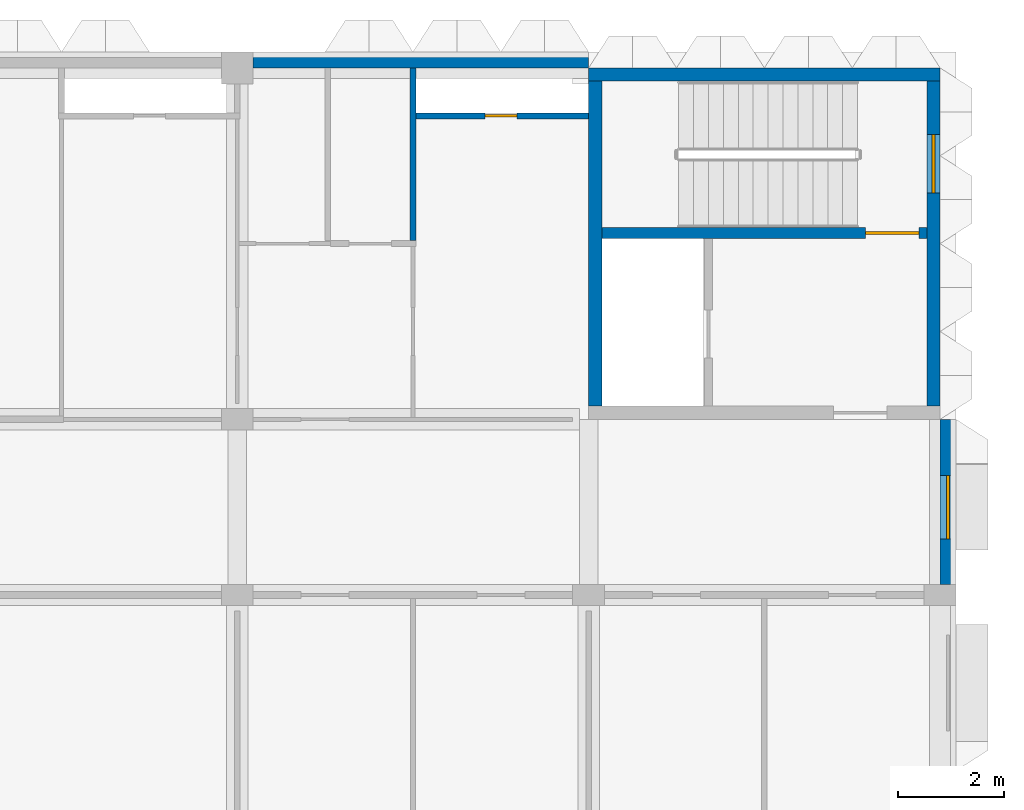
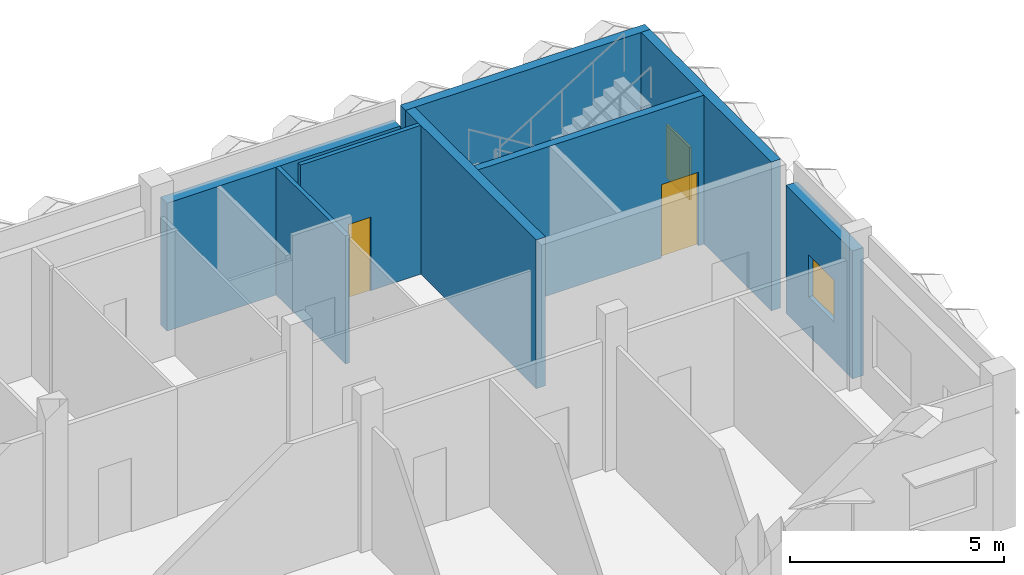
# One storey, part 54 of 102: 8 walls, 2 doors, 2 windows, 4 openings.
"""IFC4 building model written with IfcOpenShell, lengths in metres."""

from ifc_helpers import new_model, si_unit, direction, frame, frame_2d, origin, place, context, subcontext, project, spatial, rectangle, extrude, material, layer, layer_set, type_object, element, fill, save


model = new_model("IFC4")

# Units and contexts
model_context = context("Model", 3, precision=1e-05, world=origin(), true_north=direction((0.0, 1.0)))
body_context = subcontext(model_context, "Body", "Model", "MODEL_VIEW")
ifc_project = project(units=[si_unit("LENGTHUNIT", "METRE"), si_unit("AREAUNIT", "SQUARE_METRE"), si_unit("VOLUMEUNIT", "CUBIC_METRE"), si_unit("PLANEANGLEUNIT", "RADIAN"), si_unit("MASSUNIT", "GRAM", prefix="KILO")], contexts=[model_context])

# Site, building, storey
site_placement = place(None, origin())
site = spatial("IfcSite", under=ifc_project, at=site_placement, CompositionType="ELEMENT")
building_placement = place(site_placement, origin())
building = spatial("IfcBuilding", under=site, at=building_placement, Name="Lantern Court Research Institute", CompositionType="ELEMENT")
storey_placement = place(building_placement, frame((0.0, 0.0, 9.89990234375)))
storey = spatial("IfcBuildingStorey", under=building, at=storey_placement, Name="L02", CompositionType="ELEMENT", Elevation=9.89990234375)

# Wall, opening, window
ifc_material_1 = material(Name="Concrete C30/37", Category="concrete")
ifc_layer_1 = layer(ifc_material_1, 0.300048828125)
ifc_layer_set_1 = layer_set([ifc_layer_1], Name="Concrete C30/37")
wall_type_1 = type_object("IfcWallType", Name="Insulated concrete infill wall 300", PredefinedType="STANDARD", material=ifc_layer_set_1)
wall_1_placement = place(storey_placement, frame((79.35009765625, 92.39990234375, 0.0), z_axis=(0.0, 0.0, 1.0), x_axis=(0.0, -1.0, 0.0)))
wall_1 = element("IfcWall", 1, at=wall_1_placement, inside=storey, type_object=wall_type_1, Name="Exterior wall EW145", PredefinedType="STANDARD", context=body_context, shape_type="SweptSolid", body=[
    extrude(rectangle(XDim=3.099853515625, YDim=0.300048828125, at=frame_2d((1.5498046875, 0.0))), origin(), (0.0, 0.0, 1.0), 3.650146484375),
])
opening_1_placement = place(wall_1_placement, frame((1.050048828125, 0.0, 1.10009765625)))
opening_1 = element("IfcOpeningElement", 2, at=opening_1_placement, cuts=wall_1, Name="Opening W05", PredefinedType="OPENING", context=body_context, shape_type="SweptSolid", body=[
    extrude(rectangle(XDim=1.199951171875, YDim=1.199951171875, at=frame_2d((0.60009765625, 0.60009765625))), frame((0.0, 0.159912109375, 0.0), z_axis=(0.0, -1.0, 0.0), x_axis=(1.0, 0.0, 0.0)), (0.0, 0.0, 1.0), 0.320068359375),
])
ifc_material_2 = material(Name="Aluminium frame with laminated low-emissivity glazing", Category="aluminium")
window_type_1 = type_object("IfcWindowType", Name="Corridor end window 1200 x 1200", PartitioningType="SINGLE_PANEL", PredefinedType="WINDOW", material=ifc_material_2)
window_1_placement = place(opening_1_placement, origin())
window_1 = element("IfcWindow", 3, at=window_1_placement, inside=storey, type_object=window_type_1, Name="Window W05 V6E L02", OverallHeight=1.199951171875, OverallWidth=1.199951171875, PartitioningType="SINGLE_PANEL", PredefinedType="WINDOW", context=body_context, shape_type="SweptSolid", body=[
    extrude(rectangle(XDim=1.199951171875, YDim=1.199951171875, at=frame_2d((0.60009765625, 0.60009765625))), frame((0.0, 0.030029296875, 0.0), z_axis=(0.0, -1.0, 0.0), x_axis=(1.0, 0.0, 0.0)), (0.0, 0.0, 1.0), 0.06005859375),
])
fill(opening_1, window_1)

# Walls
ifc_material_3 = material(Name="Concrete C30/37", Category="concrete")
ifc_layer_2 = layer(ifc_material_3, 0.300048828125)
ifc_layer_set_2 = layer_set([ifc_layer_2], Name="Concrete C30/37")
wall_type_2 = type_object("IfcWallType", Name="Party wall 300 concrete EI 120", PredefinedType="STANDARD", material=ifc_layer_set_2)
wall_2_placement = place(storey_placement, frame((66.300048828125, 99.14990234375, 0.0), z_axis=(0.0, 0.0, 1.0), x_axis=(1.0, 0.0, 0.0)))
element("IfcWall", 4, at=wall_2_placement, inside=storey, type_object=wall_type_2, Name="Exterior wall EW155", PredefinedType="STANDARD", context=body_context, shape_type="SweptSolid", body=[
    extrude(rectangle(XDim=6.300048828125, YDim=0.300048828125, at=frame_2d((3.14990234375, 0.0))), origin(), (0.0, 0.0, 1.0), 3.650146484375),
])
ifc_material_4 = material(Name="Concrete C40/50", Category="concrete")
ifc_layer_3 = layer(ifc_material_4, 0.25)
ifc_layer_set_3 = layer_set([ifc_layer_3], Name="Concrete C40/50")
wall_type_3 = type_object("IfcWallType", Name="RC core wall 250", PredefinedType="SHEAR", material=ifc_layer_set_3)
wall_3_placement = place(storey_placement, frame((72.72509765625, 92.64990234375, 0.0), z_axis=(0.0, 0.0, 1.0), x_axis=(0.0, 1.0, 0.0)))
element("IfcWall", 5, at=wall_3_placement, inside=storey, type_object=wall_type_3, Name="West wall of core WC-E", PredefinedType="SHEAR", context=body_context, shape_type="SweptSolid", body=[
    extrude(rectangle(XDim=6.10009765625, YDim=0.25, at=frame_2d((3.050048828125, 0.0))), origin(), (0.0, 0.0, 1.0), 4.25),
])
ifc_material_5 = material(Name="Concrete C40/50", Category="concrete")
ifc_layer_4 = layer(ifc_material_5, 0.25)
ifc_layer_set_4 = layer_set([ifc_layer_4], Name="Concrete C40/50")
wall_type_4 = type_object("IfcWallType", Name="RC core wall 250 facade", PredefinedType="SHEAR", material=ifc_layer_set_4)
wall_4_placement = place(storey_placement, frame((72.60009765625, 98.875, 0.0), z_axis=(0.0, 0.0, 1.0), x_axis=(1.0, 0.0, 0.0)))
element("IfcWall", 6, at=wall_4_placement, inside=storey, type_object=wall_type_4, Name="North wall of core WC-E", PredefinedType="SHEAR", context=body_context, shape_type="SweptSolid", body=[
    extrude(rectangle(XDim=6.599853515625, YDim=0.25, at=frame_2d((3.2998046875, 0.0))), origin(), (0.0, 0.0, 1.0), 4.25),
])

# Wall, opening, window
wall_5_placement = place(storey_placement, frame((79.074951171875, 92.64990234375, 0.0), z_axis=(0.0, 0.0, 1.0), x_axis=(0.0, 1.0, 0.0)))
wall_5 = element("IfcWall", 7, at=wall_5_placement, inside=storey, type_object=wall_type_4, Name="East wall of core WC-E", PredefinedType="SHEAR", context=body_context, shape_type="SweptSolid", body=[
    extrude(rectangle(XDim=6.10009765625, YDim=0.25, at=frame_2d((3.050048828125, 0.0))), origin(), (0.0, 0.0, 1.0), 4.25),
])
opening_2_placement = place(wall_5_placement, frame((4.0, 0.0, 0.699951171875)))
opening_2 = element("IfcOpeningElement", 8, at=opening_2_placement, cuts=wall_5, Name="Opening W5", PredefinedType="OPENING", context=body_context, shape_type="SweptSolid", body=[
    extrude(rectangle(XDim=1.10009765625, YDim=1.5, at=frame_2d((0.550048828125, 0.75))), frame((0.0, 0.135009765625, 0.0), z_axis=(0.0, -1.0, 0.0), x_axis=(1.0, 0.0, 0.0)), (0.0, 0.0, 1.0), 0.27001953125),
])
ifc_material_6 = material(Name="Aluminium alloy 6063-T6 frame with laminated glass", Category="aluminium")
window_type_2 = type_object("IfcWindowType", Name="Stair window 1100 x 1500", PartitioningType="SINGLE_PANEL", PredefinedType="WINDOW", material=ifc_material_6)
window_2_placement = place(opening_2_placement, origin())
window_2 = element("IfcWindow", 9, at=window_2_placement, inside=storey, type_object=window_type_2, Name="Stair window", OverallHeight=1.5, OverallWidth=1.10009765625, PartitioningType="SINGLE_PANEL", PredefinedType="WINDOW", context=body_context, shape_type="SweptSolid", body=[
    extrude(rectangle(XDim=1.10009765625, YDim=1.5, at=frame_2d((0.550048828125, 0.75))), frame((0.0, 0.030029296875, 0.0), z_axis=(0.0, -1.0, 0.0), x_axis=(1.0, 0.0, 0.0)), (0.0, 0.0, 1.0), 0.06005859375),
])
fill(opening_2, window_2)

# Wall, opening, door
ifc_material_7 = material(Name="Concrete C40/50", Category="concrete")
ifc_layer_5 = layer(ifc_material_7, 0.199951171875)
ifc_layer_set_5 = layer_set([ifc_layer_5], Name="Concrete C40/50")
wall_type_5 = type_object("IfcWallType", Name="RC shaft wall 200", PredefinedType="SHEAR", material=ifc_layer_set_5)
wall_6_placement = place(storey_placement, frame((72.85009765625, 95.89990234375, 0.0), z_axis=(0.0, 0.0, 1.0), x_axis=(1.0, 0.0, 0.0)))
wall_6 = element("IfcWall", 10, at=wall_6_placement, inside=storey, type_object=wall_type_5, Name="Stair wall of core WC-E", PredefinedType="SHEAR", context=body_context, shape_type="SweptSolid", body=[
    extrude(rectangle(XDim=6.099853515625, YDim=0.199951171875, at=frame_2d((3.0498046875, 0.0))), origin(), (0.0, 0.0, 1.0), 4.25),
])
opening_3_placement = place(wall_6_placement, frame((4.949951171875, 0.0, 0.0)))
opening_3 = element("IfcOpeningElement", 11, at=opening_3_placement, cuts=wall_6, Name="Opening D7266", PredefinedType="OPENING", context=body_context, shape_type="SweptSolid", body=[
    extrude(rectangle(XDim=1.0, YDim=2.10009765625, at=frame_2d((0.5, 1.050048828125))), frame((0.0, 0.10986328125, 0.0), z_axis=(0.0, -1.0, 0.0), x_axis=(1.0, 0.0, 0.0)), (0.0, 0.0, 1.0), 0.219970703125),
])
ifc_material_8 = material(Name="Steel fire door leaf with smoke seals", Category="steel")
door_type_1 = type_object("IfcDoorType", Name="Door 1000 x 2100 fire rated FD60S", OperationType="NOTDEFINED", PredefinedType="DOOR", material=ifc_material_8)
door_1_placement = place(opening_3_placement, origin())
door_1 = element("IfcDoor", 12, at=door_1_placement, inside=storey, type_object=door_type_1, Name="Stair door", OperationType="SINGLE_SWING_LEFT", OverallHeight=2.10009765625, OverallWidth=1.0, PredefinedType="DOOR", context=body_context, shape_type="SweptSolid", body=[
    extrude(rectangle(XDim=1.0, YDim=2.10009765625, at=frame_2d((0.5, 1.050048828125))), frame((0.0, 0.02490234375, 0.0), z_axis=(0.0, -1.0, 0.0), x_axis=(1.0, 0.0, 0.0)), (0.0, 0.0, 1.0), 0.050048828125),
])
fill(opening_3, door_1)

ifc_material_9 = material(Name="Fire-rated gypsum board on metal studs")
ifc_layer_6 = layer(ifc_material_9, 0.110107421875)
ifc_layer_set_6 = layer_set([ifc_layer_6], Name="Fire-rated gypsum board on metal studs")
wall_type_6 = type_object("IfcWallType", Name="Riser wall 110 mm EI 60", PredefinedType="PARTITIONING", material=ifc_layer_set_6)
wall_7_placement = place(storey_placement, frame((72.60009765625, 98.10009765625, 0.0), z_axis=(0.0, 0.0, 1.0), x_axis=(-1.0, 0.0, 0.0)))
wall_7 = element("IfcWall", 13, at=wall_7_placement, inside=storey, type_object=wall_type_6, Name="Wall V6-L02-030", PredefinedType="PARTITIONING", context=body_context, shape_type="SweptSolid", body=[
    extrude(rectangle(XDim=3.2451171875, YDim=0.110107421875, at=frame_2d((1.62255859375, 0.0))), origin(), (0.0, 0.0, 1.0), 4.25),
])
opening_4_placement = place(wall_7_placement, frame((1.35009765625, 0.0, 0.0)))
opening_4 = element("IfcOpeningElement", 14, at=opening_4_placement, cuts=wall_7, Name="Opening D6233", PredefinedType="OPENING", context=body_context, shape_type="SweptSolid", body=[
    extrude(rectangle(XDim=0.60009765625, YDim=2.10009765625, at=frame_2d((0.300048828125, 1.050048828125))), frame((0.0, 0.06494140625, 0.0), z_axis=(0.0, -1.0, 0.0), x_axis=(1.0, 0.0, 0.0)), (0.0, 0.0, 1.0), 0.130126953125),
])
ifc_material_10 = material(Name="Coated metal door leaf")
door_type_2 = type_object("IfcDoorType", Name="Door 600 x 2100 riser FD60", OperationType="NOTDEFINED", PredefinedType="DOOR", material=ifc_material_10)
door_2_placement = place(opening_4_placement, origin())
door_2 = element("IfcDoor", 15, at=door_2_placement, inside=storey, type_object=door_type_2, Name="Door D6233", OperationType="SINGLE_SWING_LEFT", OverallHeight=2.10009765625, OverallWidth=0.60009765625, PredefinedType="DOOR", context=body_context, shape_type="SweptSolid", body=[
    extrude(rectangle(XDim=0.60009765625, YDim=2.10009765625, at=frame_2d((0.300048828125, 1.050048828125))), frame((0.0, 0.02490234375, 0.0), z_axis=(0.0, -1.0, 0.0), x_axis=(1.0, 0.0, 0.0)), (0.0, 0.0, 1.0), 0.050048828125),
])
fill(opening_4, door_2)

# Wall
wall_8_placement = place(storey_placement, frame((69.300048828125, 95.7548828125, 0.0), z_axis=(0.0, 0.0, 1.0), x_axis=(0.0, 1.0, 0.0)))
element("IfcWall", 16, at=wall_8_placement, inside=storey, type_object=wall_type_6, Name="Wall V6-L02-062", PredefinedType="PARTITIONING", context=body_context, shape_type="SweptSolid", body=[
    extrude(rectangle(XDim=3.2451171875, YDim=0.110107421875, at=frame_2d((1.62255859375, 0.0))), origin(), (0.0, 0.0, 1.0), 3.650146484375),
])

save(model, "model.ifc")
